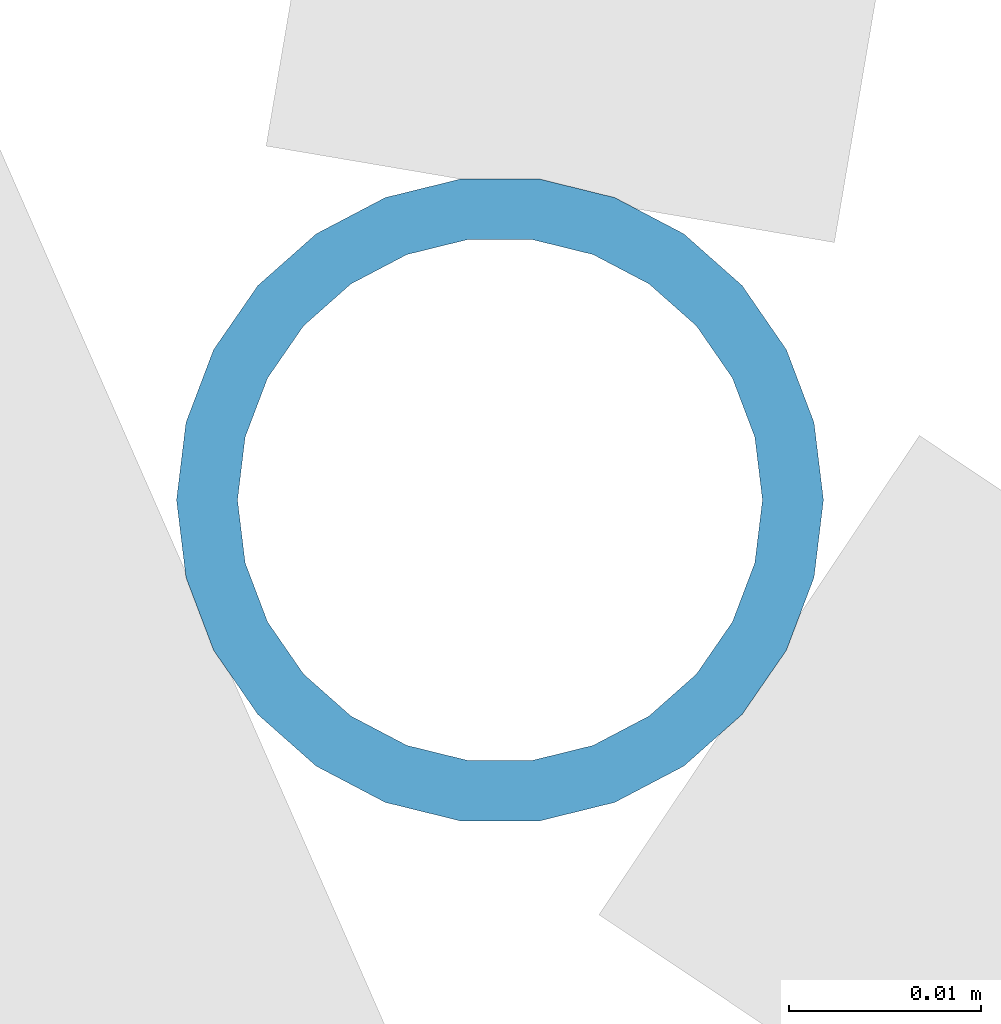
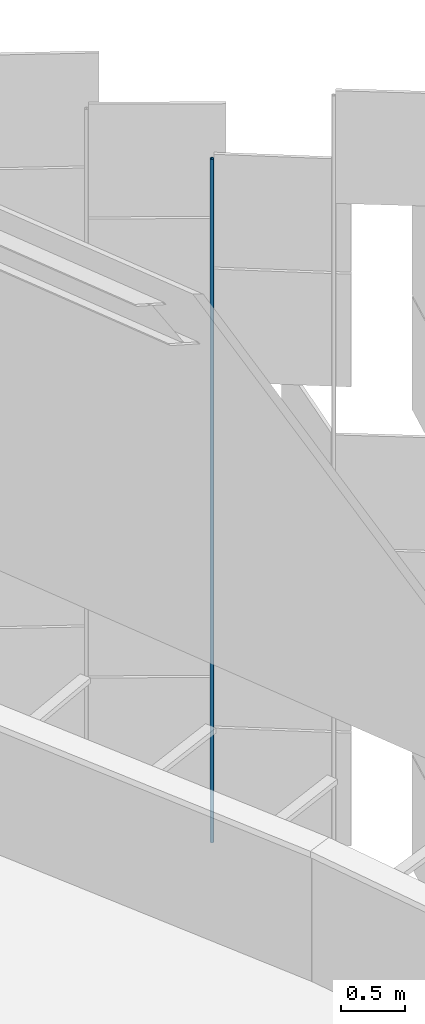
# One storey, part 305 of 483: 1 discrete accessory.
"""IFC4 building model written with IfcOpenShell, lengths in metres."""

from ifc_helpers import new_model, si_unit, direction, frame, origin, origin_2d, place, context, subcontext, project, spatial, hollow_circle, extrude, material, material_profile, profile_set, type_object, element, save


model = new_model("IFC4")

# Units and contexts
model_context = context("Model", 3, precision=1e-05, world=origin(), true_north=direction((0.0, 1.0)))
body_context = subcontext(model_context, "Body", "Model", "MODEL_VIEW")
ifc_project = project(units=[si_unit("LENGTHUNIT", "METRE"), si_unit("AREAUNIT", "SQUARE_METRE"), si_unit("VOLUMEUNIT", "CUBIC_METRE"), si_unit("PLANEANGLEUNIT", "RADIAN"), si_unit("MASSUNIT", "GRAM", prefix="KILO")], contexts=[model_context])

# Site, building, storey
site_placement = place(None, origin())
site = spatial("IfcSite", under=ifc_project, at=site_placement, CompositionType="ELEMENT")
building_placement = place(site_placement, origin())
building = spatial("IfcBuilding", under=site, at=building_placement, Name="Parallax Yard Mobility Hub", CompositionType="ELEMENT")
storey_placement = place(building_placement, frame((0.0, 0.0, 13.199951171875)))
storey = spatial("IfcBuildingStorey", under=building, at=storey_placement, Name="L04", CompositionType="ELEMENT", Elevation=13.199951171875)

# Discrete accessory
ifc_material = material(Name="Steel ASTM A500 Gr C, hot-dip galvanised", Category="steel")
ifc_material_profile = material_profile(ifc_material, hollow_circle(Radius=0.016845703125, WallThickness=0.003173828125, at=origin_2d()), Name="CHS 33.7x3.2")
ifc_profile_set = profile_set([ifc_material_profile], Name="Steel ASTM A500 Gr C, hot-dip galvanised")
discrete_accessory_type = type_object("IfcDiscreteAccessoryType", Name="Hinge post CHS 33.7x3.2", PredefinedType="BRACKET", material=ifc_profile_set)
discrete_accessory_placement = place(storey_placement, frame((221.051513671875, 112.04638671875, 0.0), z_axis=(0.0, 0.0, 1.0), x_axis=(1.0, 0.0, 0.0)))
element("IfcDiscreteAccessory", 1, at=discrete_accessory_placement, inside=storey, type_object=discrete_accessory_type, Name="Hinge post bay 43.6 level L04", PredefinedType="BRACKET", context=body_context, shape_type="SweptSolid", body=[
    extrude(hollow_circle(Radius=0.016845703125, WallThickness=0.003173828125, at=origin_2d()), origin(), (0.0, 0.0, 1.0), 6.550048828125),
])

save(model, "model.ifc")
